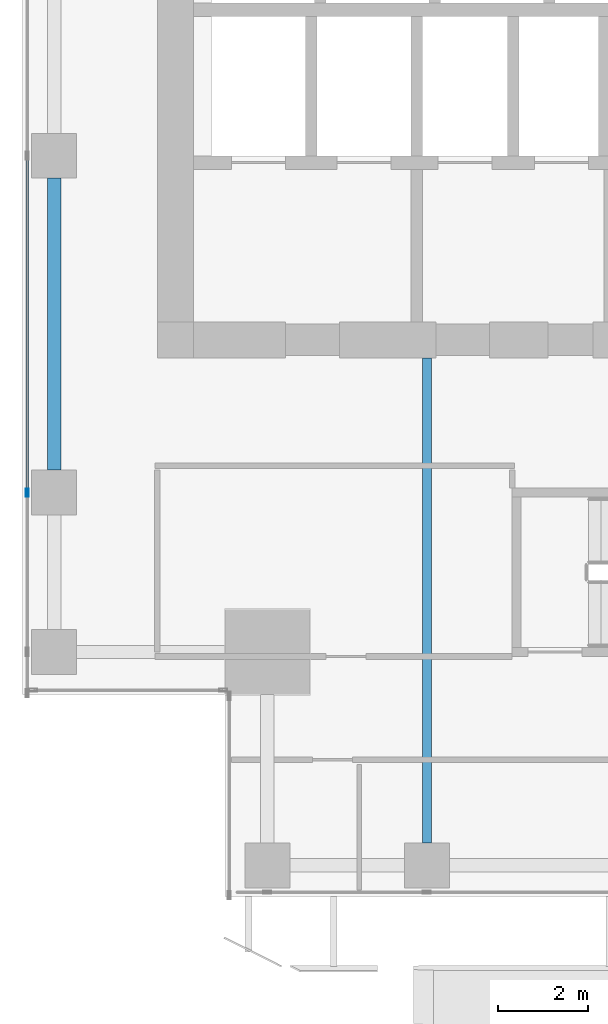
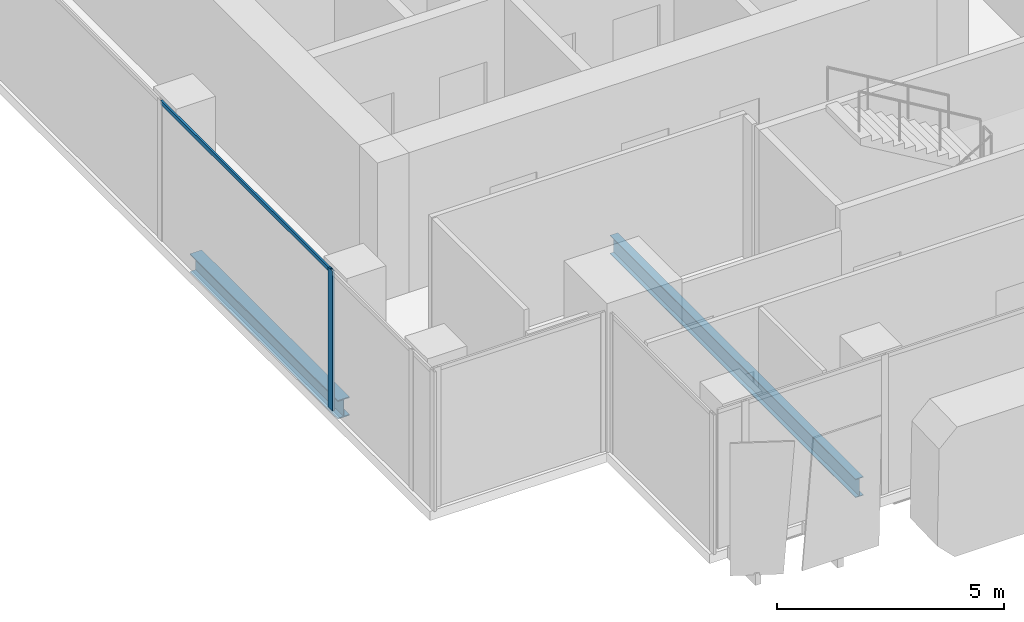
# One storey, part 4 of 40: 2 beams, 2 members, 1 element without a shape of its own.
"""IFC4 building model written with IfcOpenShell, lengths in metres."""

import ifcopenshell
import ifcopenshell.guid

model = None  # the IFC model being written
_history = None  # IfcOwnerHistory: only IFC2X3 demands one
_inside = {}  # id of a spatial element -> (the spatial element, [elements in it])
_under = {}  # id of a project, library or spatial element -> (it, [spatial elements below it])
_declared = {}  # id of a project -> (the project, [libraries it declares])
_typed = {}  # id of a type object -> (the type object, [elements of that type])
_made_of = {}  # id of a material, layer set ... -> (it, [elements and type objects made of it])


def new_model(schema):
    """Start an empty IFC model of exactly this schema.

    Asked for "IFC4X3", IfcOpenShell would pick the latest addendum, in which some entities
    have other attributes; the version numbers below select the first issue.
    IFC2X3 requires an IfcOwnerHistory on every rooted entity: one is made here for all.
    """
    global model, _history
    if schema == "IFC4X3":
        model = ifcopenshell.file(schema_version=(4, 3, 0, 0))
    else:
        model = ifcopenshell.file(schema=schema)
    _inside.clear()
    _under.clear()
    _declared.clear()
    _typed.clear()
    _made_of.clear()
    _history = None
    if model.schema == "IFC2X3":
        org = make("IfcOrganization", Name="unknown")
        user = make(
            "IfcPersonAndOrganization",
            ThePerson=make("IfcPerson", FamilyName="unknown"),
            TheOrganization=org,
        )
        app = make(
            "IfcApplication",
            ApplicationDeveloper=org,
            Version="unknown",
            ApplicationFullName="unknown",
            ApplicationIdentifier="unknown",
        )
        _history = make(
            "IfcOwnerHistory",
            OwningUser=user,
            OwningApplication=app,
            ChangeAction="ADDED",
            CreationDate=0,
        )
    return model


def make(cls, **values):
    """One entity of the class cls with the attributes given. An attribute that is None is left unset."""
    return model.create_entity(
        cls, **{name: value for name, value in values.items() if value is not None}
    )


def rooted(cls, **values):
    """An entity with a GlobalId (a new one), such as an element, a storey or a relation."""
    return make(cls, GlobalId=ifcopenshell.guid.new(), OwnerHistory=_history, **values)


def si_unit(unit_type, name, prefix=None):
    """IfcSIUnit, for example si_unit("LENGTHUNIT", "METRE", prefix="MILLI")."""
    return make("IfcSIUnit", UnitType=unit_type, Prefix=prefix, Name=name)


def assignment(units):
    """IfcUnitAssignment: the units of a project."""
    return None if units is None else make("IfcUnitAssignment", Units=units)


def point(xyz):
    """IfcCartesianPoint."""
    return None if xyz is None else make("IfcCartesianPoint", Coordinates=xyz)


def direction(xyz):
    """IfcDirection."""
    return None if xyz is None else make("IfcDirection", DirectionRatios=xyz)


def frame(location, z_axis=None, x_axis=None):
    """IfcAxis2Placement3D, a coordinate frame: its origin and axes. An axis left out is left unset."""
    return make(
        "IfcAxis2Placement3D",
        Location=point(location),
        Axis=direction(z_axis),
        RefDirection=direction(x_axis),
    )


def frame_2d(location, x_axis=None):
    """IfcAxis2Placement2D, a coordinate frame in the plane: its origin and x axis."""
    return make(
        "IfcAxis2Placement2D", Location=point(location), RefDirection=direction(x_axis)
    )


def origin():
    """The frame at (0, 0, 0) with its axes left unset."""
    return frame((0.0, 0.0, 0.0))


def origin_2d():
    """The frame at (0, 0) in the plane with its x axis left unset."""
    return frame_2d((0.0, 0.0))


def place(relative_to, where):
    """IfcLocalPlacement: puts the frame where relative to a parent placement (None: the world)."""
    return make(
        "IfcLocalPlacement", PlacementRelTo=relative_to, RelativePlacement=where
    )


def context(
    kind, dimensions, precision=None, world=None, true_north=None, identifier=None
):
    """IfcGeometricRepresentationContext, for example the 3D "Model" context."""
    return make(
        "IfcGeometricRepresentationContext",
        ContextIdentifier=identifier,
        ContextType=kind,
        CoordinateSpaceDimension=dimensions,
        Precision=precision,
        WorldCoordinateSystem=world,
        TrueNorth=true_north,
    )


def subcontext(parent, identifier, kind, view, scale=None):
    """IfcGeometricRepresentationSubContext, for example "Body" below "Model"."""
    return make(
        "IfcGeometricRepresentationSubContext",
        ContextIdentifier=identifier,
        ContextType=kind,
        ParentContext=parent,
        TargetScale=scale,
        TargetView=view,
    )


def project(units=None, contexts=None):
    """IfcProject with its units and contexts."""
    return rooted(
        "IfcProject",
        Name="project",
        RepresentationContexts=contexts,
        UnitsInContext=assignment(units),
    )


def spatial(cls, under=None, at=None, **own):
    """A site, building, storey or space (cls), placed at a placement, below another one or the project."""
    s = rooted(cls, ObjectPlacement=at, **own)
    if under is not None:
        _under.setdefault(under.id(), (under, []))[1].append(s)
    return s


def profile(cls, at=None, kind="AREA", **sizes):
    """A parametric profile (cls). Its sizes go by their IFC names, for example OverallWidth=200.0."""
    return make(cls, ProfileType=kind, Position=at, **sizes)


def hollow_rectangle(**sizes):
    """IfcRectangleHollowProfileDef."""
    return profile("IfcRectangleHollowProfileDef", **sizes)


def i_section(**sizes):
    """IfcIShapeProfileDef."""
    return profile("IfcIShapeProfileDef", **sizes)


def extrude(swept, where, along, depth):
    """IfcExtrudedAreaSolid: the profile swept, set in the frame where, extruded along a direction by depth."""
    return make(
        "IfcExtrudedAreaSolid",
        SweptArea=swept,
        Position=where,
        ExtrudedDirection=direction(along),
        Depth=depth,
    )


def shape(context_of_items, identifier, shape_type, items):
    """IfcShapeRepresentation: the items that make up one representation, for example the "Body"."""
    return make(
        "IfcShapeRepresentation",
        ContextOfItems=context_of_items,
        RepresentationIdentifier=identifier,
        RepresentationType=shape_type,
        Items=items,
    )


def source(mapping_origin, context_of_items, identifier, shape_type, items):
    """IfcRepresentationMap: a shape defined once, which mapped items show again and again."""
    return make(
        "IfcRepresentationMap",
        MappingOrigin=mapping_origin,
        MappedRepresentation=shape(context_of_items, identifier, shape_type, items),
    )


def transform(
    local_origin,
    x_axis=None,
    y_axis=None,
    z_axis=None,
    scale=None,
    scale2=None,
    scale3=None,
    uniform=True,
):
    """IfcCartesianTransformationOperator3D, or its non-uniform kind. x_axis, y_axis, z_axis: its Axis1, 2, 3."""
    if uniform:
        return make(
            "IfcCartesianTransformationOperator3D",
            Axis1=direction(x_axis),
            Axis2=direction(y_axis),
            LocalOrigin=point(local_origin),
            Scale=scale,
            Axis3=direction(z_axis),
        )
    return make(
        "IfcCartesianTransformationOperator3DnonUniform",
        Axis1=direction(x_axis),
        Axis2=direction(y_axis),
        LocalOrigin=point(local_origin),
        Scale=scale,
        Axis3=direction(z_axis),
        Scale2=scale2,
        Scale3=scale3,
    )


def mapped(mapping_source, mapping_target):
    """IfcMappedItem: shows the shape of a source again, moved by a transform."""
    return make(
        "IfcMappedItem", MappingSource=mapping_source, MappingTarget=mapping_target
    )


def material(Name=None, Category=None):
    """IfcMaterial."""
    return make("IfcMaterial", Name=Name, Category=Category)


def material_profile(
    of_material, cross_section, Name=None, Category=None, Priority=None
):
    """IfcMaterialProfile: a cross section and its material."""
    return make(
        "IfcMaterialProfile",
        Name=Name,
        Material=of_material,
        Profile=cross_section,
        Priority=Priority,
        Category=Category,
    )


def profile_set(profiles, Name=None, composite=None):
    """IfcMaterialProfileSet."""
    return make(
        "IfcMaterialProfileSet",
        Name=Name,
        MaterialProfiles=profiles,
        CompositeProfile=composite,
    )


def made_of(thing, what):
    """Note that an element or type object is made of a material, layer set ...; save() writes the relation."""
    if what is not None:
        _made_of.setdefault(what.id(), (what, []))[1].append(thing)
    return thing


def type_object(cls, material=None, **own):
    """A type object (cls), such as IfcWallType, which elements share."""
    return made_of(rooted(cls, **own), material)


def element(
    cls,
    number,
    at=None,
    inside=None,
    cuts=None,
    type_object=None,
    material=None,
    context=None,
    identifier="Body",
    shape_type=None,
    held_by="IfcProductDefinitionShape",
    body=None,
    shapes=None,
    **own,
):
    """One element of the class cls, such as IfcWall. Its Tag is "e" and its number.

    at: its placement. inside: the storey or other place that contains it. cuts: it is an
    opening in that element (IfcRelVoidsElement). A single representation is given by context,
    identifier, shape_type and body (its items); several are given by shapes. held_by: the class
    of the entity that holds the representations. save() writes the other relations.
    """
    e = rooted(cls, Tag="e%d" % number, ObjectPlacement=at, **own)
    if body is not None:
        shapes = [shape(context, identifier, shape_type, body)]
    if shapes is not None:
        e.Representation = make(held_by, Representations=shapes)
    if inside is not None:
        _inside.setdefault(inside.id(), (inside, []))[1].append(e)
    if cuts is not None:
        rooted(
            "IfcRelVoidsElement", RelatingBuildingElement=cuts, RelatedOpeningElement=e
        )
    if type_object is not None:
        _typed.setdefault(type_object.id(), (type_object, []))[1].append(e)
    return made_of(e, material)


def aggregate(whole, parts):
    """IfcRelAggregates: a whole, such as a stair, and the parts it consists of."""
    return rooted("IfcRelAggregates", RelatingObject=whole, RelatedObjects=parts)


def save(model, path):
    """Write the relations noted so far, then the file.

    IfcRelAggregates (storeys below a building ...), IfcRelContainedInSpatialStructure (elements
    in a storey), IfcRelDefinesByType, IfcRelAssociatesMaterial and IfcRelDeclares: one each for
    every whole, place, type object, material and project.
    """
    for whole, parts in _under.values():
        aggregate(whole, parts)
    for where, things in _inside.values():
        rooted(
            "IfcRelContainedInSpatialStructure",
            RelatedElements=things,
            RelatingStructure=where,
        )
    for kind, things in _typed.values():
        rooted("IfcRelDefinesByType", RelatedObjects=things, RelatingType=kind)
    for what, things in _made_of.values():
        rooted("IfcRelAssociatesMaterial", RelatedObjects=things, RelatingMaterial=what)
    for by, libraries in _declared.values():
        rooted("IfcRelDeclares", RelatingContext=by, RelatedDefinitions=libraries)
    model.write(path)


model = new_model("IFC4")

# Units and contexts
model_context = context("Model", 3, precision=1e-05, world=origin(), true_north=direction((0.0, 1.0)))
body_context = subcontext(model_context, "Body", "Model", "MODEL_VIEW")
ifc_project = project(units=[si_unit("LENGTHUNIT", "METRE"), si_unit("AREAUNIT", "SQUARE_METRE"), si_unit("VOLUMEUNIT", "CUBIC_METRE"), si_unit("PLANEANGLEUNIT", "RADIAN"), si_unit("MASSUNIT", "GRAM", prefix="KILO")], contexts=[model_context])

# Site, building, storey
site_placement = place(None, origin())
site = spatial("IfcSite", under=ifc_project, at=site_placement, CompositionType="ELEMENT")
building_placement = place(site_placement, origin())
building = spatial("IfcBuilding", under=site, at=building_placement, Name="Khomas Fold Tower", CompositionType="ELEMENT")
storey_placement = place(building_placement, frame((0.0, 0.0, 184.699951171875)))
storey = spatial("IfcBuildingStorey", under=building, at=storey_placement, Name="L40", CompositionType="ELEMENT", Elevation=184.699951171875)

# Beams
ifc_material_1 = material(Name="Steel S355", Category="steel")
ifc_material_profile_1 = material_profile(ifc_material_1, i_section(OverallWidth=0.300048828125, OverallDepth=0.5, WebThickness=0.014404296875, FlangeThickness=0.028076171875, at=origin_2d()), Name="HE 500 B")
ifc_profile_set_1 = profile_set([ifc_material_profile_1], Name="Steel S355")
beam_type_1 = type_object("IfcBeamType", Name="HE 500 B spandrel SB3", PredefinedType="SPANDREL", material=ifc_profile_set_1)
shared_shape_1 = source(origin(), body_context, "Body", "SweptSolid", [
    extrude(i_section(OverallWidth=0.300048828125, OverallDepth=0.5, WebThickness=0.014404296875, FlangeThickness=0.028076171875, at=origin_2d()), origin(), (0.0, 0.0, 1.0), 6.5),
])
beam_1_placement = place(storey_placement, frame((3.699951171875, 12.5, -0.5), z_axis=(0.0, 1.0, 0.0), x_axis=(-1.0, 0.0, 0.0)))
element("IfcBeam", 1, at=beam_1_placement, inside=storey, type_object=beam_type_1, Name="SB3", PredefinedType="SPANDREL", context=body_context, shape_type="MappedRepresentation", body=[
    mapped(shared_shape_1, transform((0.0, 0.0, 0.0))),
])
ifc_material_2 = material(Name="Steel S355", Category="steel")
ifc_material_profile_2 = material_profile(ifc_material_2, i_section(OverallWidth=0.199951171875, OverallDepth=0.5, WebThickness=0.01025390625, FlangeThickness=0.01611328125, at=origin_2d()), Name="IPE 500")
ifc_profile_set_2 = profile_set([ifc_material_profile_2], Name="Steel S355")
beam_type_2 = type_object("IfcBeamType", Name="IPE 500 beam JB5", PredefinedType="BEAM", material=ifc_profile_set_2)
shared_shape_2 = source(origin(), body_context, "Body", "SweptSolid", [
    extrude(i_section(OverallWidth=0.199951171875, OverallDepth=0.5, WebThickness=0.01025390625, FlangeThickness=0.01611328125, at=origin_2d()), origin(), (0.0, 0.0, 1.0), 10.800048828125),
])
beam_2_placement = place(storey_placement, frame((12.0, 4.199951171875, -0.5), z_axis=(0.0, 1.0, 0.0), x_axis=(-1.0, 0.0, 0.0)))
element("IfcBeam", 2, at=beam_2_placement, inside=storey, type_object=beam_type_2, Name="JB5", PredefinedType="BEAM", context=body_context, shape_type="MappedRepresentation", body=[
    mapped(shared_shape_2, transform((0.0, 0.0, 0.0))),
])

# Curtain wall, members
ifc_material_3 = material(Name="Aluminium framed double glazing", Category="aluminium")
curtain_wall_type = type_object("IfcCurtainWallType", Name="SK-Unitised clear-glass wall, office floors CW2", PredefinedType="NOTDEFINED", material=ifc_material_3)
curtain_wall_placement = place(storey_placement, origin())
curtain_wall = element("IfcCurtainWall", 3, at=curtain_wall_placement, inside=storey, type_object=curtain_wall_type, Name="CW2 run L40 18-0", PredefinedType="NOTDEFINED")
ifc_material_4 = material(Name="Aluminium", Category="aluminium")
ifc_material_profile_3 = material_profile(ifc_material_4, hollow_rectangle(XDim=0.06005859375, YDim=0.179931640625, WallThickness=0.00390625, at=origin_2d()), Name="SK-Unitised clear-glass wall, office floors mullion CW2-M")
ifc_profile_set_3 = profile_set([ifc_material_profile_3], Name="Aluminium")
member_type_1 = type_object("IfcMemberType", Name="SK-Unitised clear-glass wall, office floors mullion CW2-M", PredefinedType="MULLION", material=ifc_profile_set_3)
shared_shape_3 = source(origin(), body_context, "Body", "SweptSolid", [
    extrude(hollow_rectangle(XDim=0.06005859375, YDim=0.179931640625, WallThickness=0.00390625, at=origin_2d()), origin(), (0.0, 0.0, 1.0), 3.75),
])
member_1_placement = place(storey_placement, frame((3.10009765625, 12.0, 0.0), z_axis=(0.0, 0.0, 1.0), x_axis=(1.0, 0.0, 0.0)))
member_1 = element("IfcMember", 4, at=member_1_placement, type_object=member_type_1, Name="CW2 mullion 7", PredefinedType="MULLION", context=body_context, shape_type="MappedRepresentation", body=[
    mapped(shared_shape_3, transform((0.0, 0.0, 0.0))),
])
ifc_material_5 = material(Name="Aluminium", Category="aluminium")
ifc_material_profile_4 = material_profile(ifc_material_5, hollow_rectangle(XDim=0.050048828125, YDim=0.110107421875, WallThickness=0.00390625, at=origin_2d()), Name="SK-Unitised clear-glass wall, office floors transom CW2-T")
ifc_profile_set_4 = profile_set([ifc_material_profile_4], Name="Aluminium")
member_type_2 = type_object("IfcMemberType", Name="SK-Unitised clear-glass wall, office floors transom CW2-T", PredefinedType="USERDEFINED", material=ifc_profile_set_4)
shared_shape_4 = source(origin(), body_context, "Body", "SweptSolid", [
    extrude(hollow_rectangle(XDim=0.050048828125, YDim=0.110107421875, WallThickness=0.00390625, at=origin_2d()), origin(), (0.0, 0.0, 1.0), 7.43994140625),
])
member_2_placement = place(storey_placement, frame((3.10009765625, 19.469970703125, 3.695068359375), z_axis=(0.0, -1.0, 0.0), x_axis=(1.0, 0.0, 0.0)))
member_2 = element("IfcMember", 5, at=member_2_placement, type_object=member_type_2, Name="CW2 transom 6", ObjectType="TRANSOM", PredefinedType="USERDEFINED", context=body_context, shape_type="MappedRepresentation", body=[
    mapped(shared_shape_4, transform((0.0, 0.0, 0.0))),
])
aggregate(curtain_wall, [member_1, member_2])

save(model, "model.ifc")
